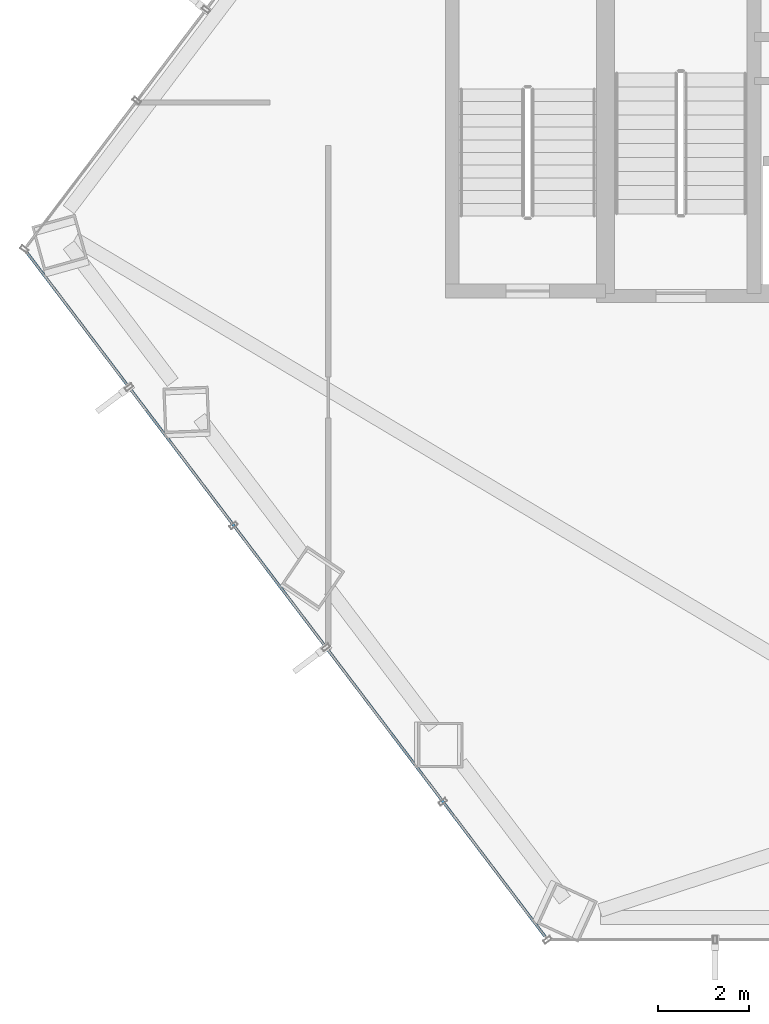
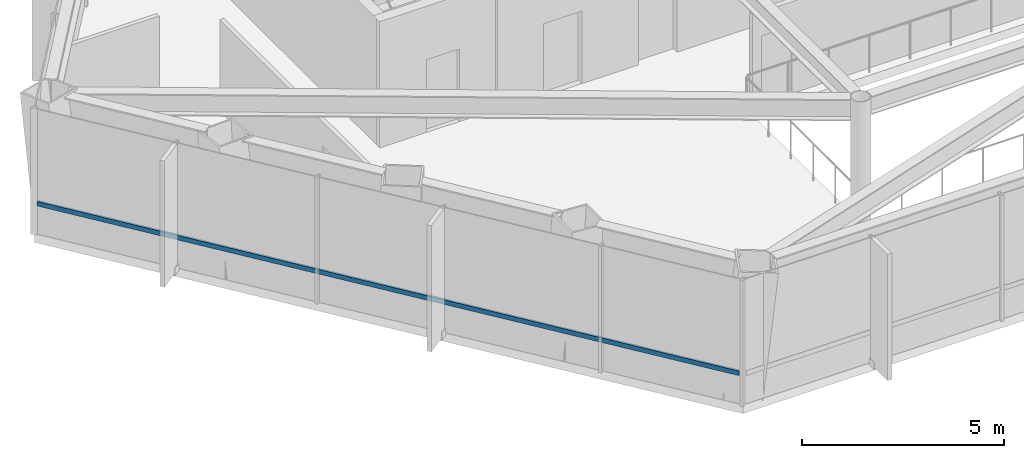
# One storey, part 3 of 27: 1 member, 1 element without a shape of its own.
"""IFC4 building model written with IfcOpenShell, lengths in metres."""

import ifcopenshell
import ifcopenshell.guid

model = None  # the IFC model being written
_history = None  # IfcOwnerHistory: only IFC2X3 demands one
_inside = {}  # id of a spatial element -> (the spatial element, [elements in it])
_under = {}  # id of a project, library or spatial element -> (it, [spatial elements below it])
_declared = {}  # id of a project -> (the project, [libraries it declares])
_typed = {}  # id of a type object -> (the type object, [elements of that type])
_made_of = {}  # id of a material, layer set ... -> (it, [elements and type objects made of it])


def new_model(schema):
    """Start an empty IFC model of exactly this schema.

    Asked for "IFC4X3", IfcOpenShell would pick the latest addendum, in which some entities
    have other attributes; the version numbers below select the first issue.
    IFC2X3 requires an IfcOwnerHistory on every rooted entity: one is made here for all.
    """
    global model, _history
    if schema == "IFC4X3":
        model = ifcopenshell.file(schema_version=(4, 3, 0, 0))
    else:
        model = ifcopenshell.file(schema=schema)
    _inside.clear()
    _under.clear()
    _declared.clear()
    _typed.clear()
    _made_of.clear()
    _history = None
    if model.schema == "IFC2X3":
        org = make("IfcOrganization", Name="unknown")
        user = make(
            "IfcPersonAndOrganization",
            ThePerson=make("IfcPerson", FamilyName="unknown"),
            TheOrganization=org,
        )
        app = make(
            "IfcApplication",
            ApplicationDeveloper=org,
            Version="unknown",
            ApplicationFullName="unknown",
            ApplicationIdentifier="unknown",
        )
        _history = make(
            "IfcOwnerHistory",
            OwningUser=user,
            OwningApplication=app,
            ChangeAction="ADDED",
            CreationDate=0,
        )
    return model


def make(cls, **values):
    """One entity of the class cls with the attributes given. An attribute that is None is left unset."""
    return model.create_entity(
        cls, **{name: value for name, value in values.items() if value is not None}
    )


def rooted(cls, **values):
    """An entity with a GlobalId (a new one), such as an element, a storey or a relation."""
    return make(cls, GlobalId=ifcopenshell.guid.new(), OwnerHistory=_history, **values)


def si_unit(unit_type, name, prefix=None):
    """IfcSIUnit, for example si_unit("LENGTHUNIT", "METRE", prefix="MILLI")."""
    return make("IfcSIUnit", UnitType=unit_type, Prefix=prefix, Name=name)


def assignment(units):
    """IfcUnitAssignment: the units of a project."""
    return None if units is None else make("IfcUnitAssignment", Units=units)


def point(xyz):
    """IfcCartesianPoint."""
    return None if xyz is None else make("IfcCartesianPoint", Coordinates=xyz)


def direction(xyz):
    """IfcDirection."""
    return None if xyz is None else make("IfcDirection", DirectionRatios=xyz)


def frame(location, z_axis=None, x_axis=None):
    """IfcAxis2Placement3D, a coordinate frame: its origin and axes. An axis left out is left unset."""
    return make(
        "IfcAxis2Placement3D",
        Location=point(location),
        Axis=direction(z_axis),
        RefDirection=direction(x_axis),
    )


def frame_2d(location, x_axis=None):
    """IfcAxis2Placement2D, a coordinate frame in the plane: its origin and x axis."""
    return make(
        "IfcAxis2Placement2D", Location=point(location), RefDirection=direction(x_axis)
    )


def origin():
    """The frame at (0, 0, 0) with its axes left unset."""
    return frame((0.0, 0.0, 0.0))


def origin_2d():
    """The frame at (0, 0) in the plane with its x axis left unset."""
    return frame_2d((0.0, 0.0))


def place(relative_to, where):
    """IfcLocalPlacement: puts the frame where relative to a parent placement (None: the world)."""
    return make(
        "IfcLocalPlacement", PlacementRelTo=relative_to, RelativePlacement=where
    )


def context(
    kind, dimensions, precision=None, world=None, true_north=None, identifier=None
):
    """IfcGeometricRepresentationContext, for example the 3D "Model" context."""
    return make(
        "IfcGeometricRepresentationContext",
        ContextIdentifier=identifier,
        ContextType=kind,
        CoordinateSpaceDimension=dimensions,
        Precision=precision,
        WorldCoordinateSystem=world,
        TrueNorth=true_north,
    )


def subcontext(parent, identifier, kind, view, scale=None):
    """IfcGeometricRepresentationSubContext, for example "Body" below "Model"."""
    return make(
        "IfcGeometricRepresentationSubContext",
        ContextIdentifier=identifier,
        ContextType=kind,
        ParentContext=parent,
        TargetScale=scale,
        TargetView=view,
    )


def project(units=None, contexts=None):
    """IfcProject with its units and contexts."""
    return rooted(
        "IfcProject",
        Name="project",
        RepresentationContexts=contexts,
        UnitsInContext=assignment(units),
    )


def spatial(cls, under=None, at=None, **own):
    """A site, building, storey or space (cls), placed at a placement, below another one or the project."""
    s = rooted(cls, ObjectPlacement=at, **own)
    if under is not None:
        _under.setdefault(under.id(), (under, []))[1].append(s)
    return s


def profile(cls, at=None, kind="AREA", **sizes):
    """A parametric profile (cls). Its sizes go by their IFC names, for example OverallWidth=200.0."""
    return make(cls, ProfileType=kind, Position=at, **sizes)


def hollow_rectangle(**sizes):
    """IfcRectangleHollowProfileDef."""
    return profile("IfcRectangleHollowProfileDef", **sizes)


def extrude(swept, where, along, depth):
    """IfcExtrudedAreaSolid: the profile swept, set in the frame where, extruded along a direction by depth."""
    return make(
        "IfcExtrudedAreaSolid",
        SweptArea=swept,
        Position=where,
        ExtrudedDirection=direction(along),
        Depth=depth,
    )


def shape(context_of_items, identifier, shape_type, items):
    """IfcShapeRepresentation: the items that make up one representation, for example the "Body"."""
    return make(
        "IfcShapeRepresentation",
        ContextOfItems=context_of_items,
        RepresentationIdentifier=identifier,
        RepresentationType=shape_type,
        Items=items,
    )


def material(Name=None, Category=None):
    """IfcMaterial."""
    return make("IfcMaterial", Name=Name, Category=Category)


def layer(
    of_material, thickness, ventilated=None, Name=None, Category=None, Priority=None
):
    """IfcMaterialLayer: one layer of a wall or slab, of a material (None: an air gap)."""
    return make(
        "IfcMaterialLayer",
        Material=of_material,
        LayerThickness=thickness,
        IsVentilated=ventilated,
        Name=Name,
        Category=Category,
        Priority=Priority,
    )


def layer_set(layers, Name=None):
    """IfcMaterialLayerSet."""
    return make("IfcMaterialLayerSet", MaterialLayers=layers, LayerSetName=Name)


def material_profile(
    of_material, cross_section, Name=None, Category=None, Priority=None
):
    """IfcMaterialProfile: a cross section and its material."""
    return make(
        "IfcMaterialProfile",
        Name=Name,
        Material=of_material,
        Profile=cross_section,
        Priority=Priority,
        Category=Category,
    )


def profile_set(profiles, Name=None, composite=None):
    """IfcMaterialProfileSet."""
    return make(
        "IfcMaterialProfileSet",
        Name=Name,
        MaterialProfiles=profiles,
        CompositeProfile=composite,
    )


def made_of(thing, what):
    """Note that an element or type object is made of a material, layer set ...; save() writes the relation."""
    if what is not None:
        _made_of.setdefault(what.id(), (what, []))[1].append(thing)
    return thing


def type_object(cls, material=None, **own):
    """A type object (cls), such as IfcWallType, which elements share."""
    return made_of(rooted(cls, **own), material)


def element(
    cls,
    number,
    at=None,
    inside=None,
    cuts=None,
    type_object=None,
    material=None,
    context=None,
    identifier="Body",
    shape_type=None,
    held_by="IfcProductDefinitionShape",
    body=None,
    shapes=None,
    **own,
):
    """One element of the class cls, such as IfcWall. Its Tag is "e" and its number.

    at: its placement. inside: the storey or other place that contains it. cuts: it is an
    opening in that element (IfcRelVoidsElement). A single representation is given by context,
    identifier, shape_type and body (its items); several are given by shapes. held_by: the class
    of the entity that holds the representations. save() writes the other relations.
    """
    e = rooted(cls, Tag="e%d" % number, ObjectPlacement=at, **own)
    if body is not None:
        shapes = [shape(context, identifier, shape_type, body)]
    if shapes is not None:
        e.Representation = make(held_by, Representations=shapes)
    if inside is not None:
        _inside.setdefault(inside.id(), (inside, []))[1].append(e)
    if cuts is not None:
        rooted(
            "IfcRelVoidsElement", RelatingBuildingElement=cuts, RelatedOpeningElement=e
        )
    if type_object is not None:
        _typed.setdefault(type_object.id(), (type_object, []))[1].append(e)
    return made_of(e, material)


def aggregate(whole, parts):
    """IfcRelAggregates: a whole, such as a stair, and the parts it consists of."""
    return rooted("IfcRelAggregates", RelatingObject=whole, RelatedObjects=parts)


def save(model, path):
    """Write the relations noted so far, then the file.

    IfcRelAggregates (storeys below a building ...), IfcRelContainedInSpatialStructure (elements
    in a storey), IfcRelDefinesByType, IfcRelAssociatesMaterial and IfcRelDeclares: one each for
    every whole, place, type object, material and project.
    """
    for whole, parts in _under.values():
        aggregate(whole, parts)
    for where, things in _inside.values():
        rooted(
            "IfcRelContainedInSpatialStructure",
            RelatedElements=things,
            RelatingStructure=where,
        )
    for kind, things in _typed.values():
        rooted("IfcRelDefinesByType", RelatedObjects=things, RelatingType=kind)
    for what, things in _made_of.values():
        rooted("IfcRelAssociatesMaterial", RelatedObjects=things, RelatingMaterial=what)
    for by, libraries in _declared.values():
        rooted("IfcRelDeclares", RelatingContext=by, RelatedDefinitions=libraries)
    model.write(path)


model = new_model("IFC4")

# Units and contexts
model_context = context("Model", 3, precision=1e-05, world=origin(), true_north=direction((0.0, 1.0)))
body_context = subcontext(model_context, "Body", "Model", "MODEL_VIEW")
ifc_project = project(units=[si_unit("LENGTHUNIT", "METRE"), si_unit("AREAUNIT", "SQUARE_METRE"), si_unit("VOLUMEUNIT", "CUBIC_METRE"), si_unit("PLANEANGLEUNIT", "RADIAN"), si_unit("MASSUNIT", "GRAM", prefix="KILO")], contexts=[model_context])

# Site, building, storey
site_placement = place(None, origin())
site = spatial("IfcSite", under=ifc_project, at=site_placement, CompositionType="ELEMENT")
building_placement = place(site_placement, origin())
building = spatial("IfcBuilding", under=site, at=building_placement, Name="Zarrinselat Tower", CompositionType="ELEMENT")
storey_placement = place(building_placement, frame((0.0, 0.0, 47.93994140625)))
storey = spatial("IfcBuildingStorey", under=building, at=storey_placement, Name="L11", CompositionType="ELEMENT", Elevation=47.93994140625)

# Curtain wall, member
ifc_material_1 = material(Name="Extruded Aluminium Alloy EN AW-6063 T6", Category="aluminium")
ifc_layer = layer(ifc_material_1, 0.18505859375)
ifc_layer_set = layer_set([ifc_layer], Name="Extruded Aluminium Alloy EN AW-6063 T6")
curtain_wall_type = type_object("IfcCurtainWallType", Name="CWS-OFF", PredefinedType="NOTDEFINED", material=ifc_layer_set)
curtain_wall_placement = place(storey_placement, origin())
curtain_wall = element("IfcCurtainWall", 1, at=curtain_wall_placement, inside=storey, type_object=curtain_wall_type, Name="L11 Unitised Curtain Wall CW-L11-E03", PredefinedType="NOTDEFINED")
ifc_material_2 = material(Name="Extruded Aluminium Alloy EN AW-6063 T6", Category="aluminium")
ifc_material_profile = material_profile(ifc_material_2, hollow_rectangle(XDim=0.06005859375, YDim=0.139892578125, WallThickness=0.00390625, at=origin_2d()), Name="RHS 140x60x4")
ifc_profile_set = profile_set([ifc_material_profile], Name="Extruded Aluminium Alloy EN AW-6063 T6")
member_type = type_object("IfcMemberType", Name="MEM-CW-TRN", PredefinedType="USERDEFINED", material=ifc_profile_set)
member_placement = place(storey_placement, frame((15.865966796875, 34.1494140625, 0.949951171875), z_axis=(0.60385022181, -0.7970978043, 0.0), x_axis=(0.7970978043, 0.60385022181, 0.0)))
member = element("IfcMember", 2, at=member_placement, type_object=member_type, Name="CW-L11-E03 Transom 1", ObjectType="TRANSOM", PredefinedType="USERDEFINED", context=body_context, shape_type="SweptSolid", body=[
    extrude(hollow_rectangle(XDim=0.06005859375, YDim=0.139892578125, WallThickness=0.00390625, at=origin_2d()), origin(), (0.0, 0.0, 1.0), 18.88720703125),
])
aggregate(curtain_wall, [member])

save(model, "model.ifc")
